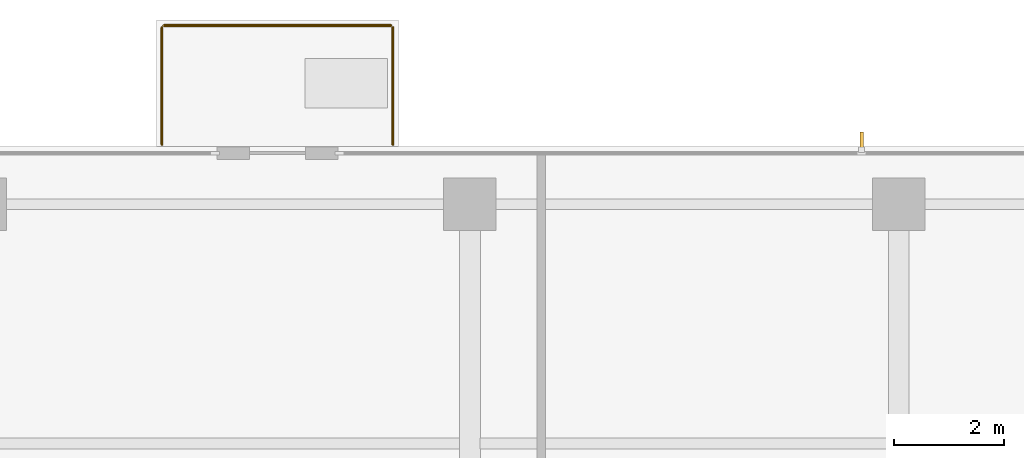
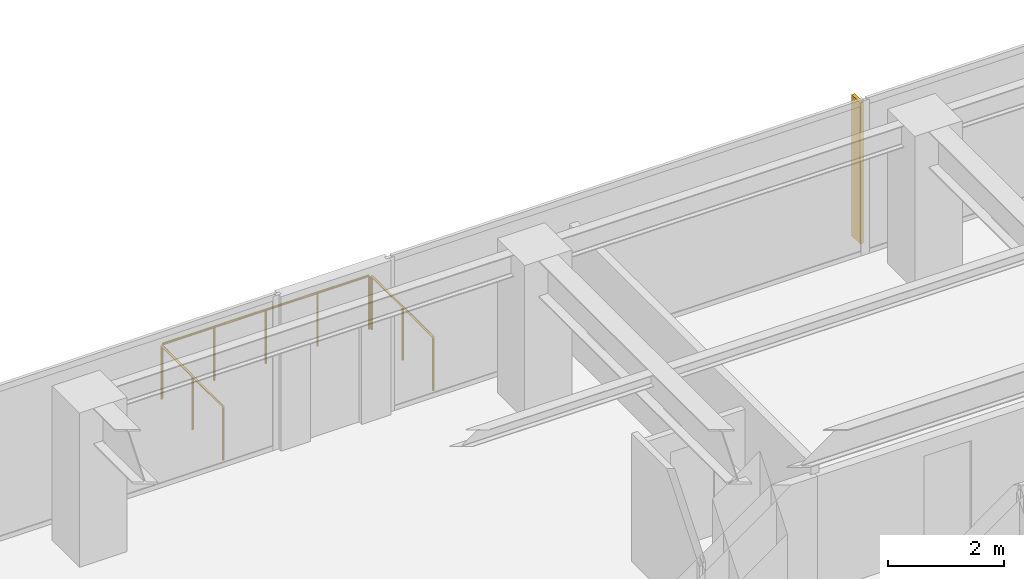
# One storey, part 14 of 14: 3 railings, 1 shading device.
"""IFC4 building model written with IfcOpenShell, lengths in metres."""

from ifc_helpers import new_model, si_unit, direction, frame, origin, origin_2d, place, context, subcontext, project, spatial, polyline, circle, outline, extrude, material, layer, layer_set, type_object, element, save


model = new_model("IFC4")

# Units and contexts
model_context = context("Model", 3, precision=1e-05, world=origin(), true_north=direction((0.0, 1.0)))
body_context = subcontext(model_context, "Body", "Model", "MODEL_VIEW")
ifc_project = project(units=[si_unit("LENGTHUNIT", "METRE"), si_unit("AREAUNIT", "SQUARE_METRE"), si_unit("VOLUMEUNIT", "CUBIC_METRE"), si_unit("PLANEANGLEUNIT", "RADIAN"), si_unit("MASSUNIT", "GRAM", prefix="KILO")], contexts=[model_context])

# Site, building, storey
site_placement = place(None, origin())
site = spatial("IfcSite", under=ifc_project, at=site_placement, CompositionType="ELEMENT")
building_placement = place(site_placement, origin())
building = spatial("IfcBuilding", under=site, at=building_placement, Name="Qalmaran Belvedere Hotel", CompositionType="ELEMENT")
storey_placement = place(building_placement, frame((0.0, 0.0, 224.89990234375)))
storey = spatial("IfcBuildingStorey", under=building, at=storey_placement, Name="L57", CompositionType="ELEMENT", Elevation=224.89990234375)

# Shading device
ifc_material = material(Name="Anodised Bronze Aluminium", Category="aluminium")
ifc_layer = layer(ifc_material, 0.06494140625, Name="Anodised Bronze Aluminium")
ifc_layer_set = layer_set([ifc_layer], Name="Anodised Bronze Aluminium")
shading_device_type = type_object("IfcShadingDeviceType", Name="FIN-BRNZ-300", PredefinedType="USERDEFINED", material=ifc_layer_set)
shading_device_placement = place(storey_placement, frame((0.0, 0.0, 0.16015625)))
element("IfcShadingDevice", 1, at=shading_device_placement, inside=storey, type_object=shading_device_type, Name="L57 Bronze Fin 1", ObjectType="FIN", PredefinedType="USERDEFINED", context=body_context, shape_type="SweptSolid", body=[
    extrude(outline(polyline([(36.357421875, 41.467529296875), (36.357421875, 41.767578125), (36.29248046875, 41.767578125), (36.29248046875, 41.467529296875), (36.357421875, 41.467529296875)])), origin(), (0.0, 0.0, 1.0), 2.97998046875),
])

# Railings
railing_type = type_object("IfcRailingType", Name="GRD-BAL-1150", PredefinedType="BALUSTRADE", material=ifc_material)
railing_1_placement = place(storey_placement, frame((23.60009765625, 41.534912109375, 0.0)))
element("IfcRailing", 2, at=railing_1_placement, inside=storey, type_object=railing_type, Name="L57 Guardrail BAL-L57-N-1", PredefinedType="BALUSTRADE", context=body_context, shape_type="SweptSolid", body=[
    extrude(circle(Radius=0.02392578125, at=origin_2d()), frame((0.0, 0.0, 1.1259765625), z_axis=(0.0, 1.0, 0.0), x_axis=(-1.0, 0.0, 0.0)), (0.0, 0.0, 1.0), 2.130126953125),
    extrude(circle(Radius=0.02099609375, at=origin_2d()), origin(), (0.0, 0.0, 1.0), 1.101806640625),
    extrude(circle(Radius=0.02099609375, at=origin_2d()), frame((0.0, 1.06494140625, 0.0)), (0.0, 0.0, 1.0), 1.101806640625),
    extrude(circle(Radius=0.02099609375, at=origin_2d()), frame((0.0, 2.130126953125, 0.0)), (0.0, 0.0, 1.0), 1.101806640625),
])
railing_2_placement = place(storey_placement, frame((23.635009765625, 43.699951171875, 0.0)))
element("IfcRailing", 3, at=railing_2_placement, inside=storey, type_object=railing_type, Name="L57 Guardrail BAL-L57-N-2", PredefinedType="BALUSTRADE", context=body_context, shape_type="SweptSolid", body=[
    extrude(circle(Radius=0.02392578125, at=origin_2d()), frame((0.0, 0.0, 1.1259765625), z_axis=(1.0, 0.0, 0.0), x_axis=(0.0, 1.0, 0.0)), (0.0, 0.0, 1.0), 4.1298828125),
    extrude(circle(Radius=0.02099609375, at=origin_2d()), origin(), (0.0, 0.0, 1.0), 1.101806640625),
    extrude(circle(Radius=0.02099609375, at=origin_2d()), frame((1.032470703125, 0.0, 0.0)), (0.0, 0.0, 1.0), 1.101806640625),
    extrude(circle(Radius=0.02099609375, at=origin_2d()), frame((2.06494140625, 0.0, 0.0)), (0.0, 0.0, 1.0), 1.101806640625),
    extrude(circle(Radius=0.02099609375, at=origin_2d()), frame((3.097412109375, 0.0, 0.0)), (0.0, 0.0, 1.0), 1.101806640625),
    extrude(circle(Radius=0.02099609375, at=origin_2d()), frame((4.1298828125, 0.0, 0.0)), (0.0, 0.0, 1.0), 1.101806640625),
])
railing_3_placement = place(storey_placement, frame((27.800048828125, 43.6650390625, 0.0)))
element("IfcRailing", 4, at=railing_3_placement, inside=storey, type_object=railing_type, Name="L57 Guardrail BAL-L57-N-3", PredefinedType="BALUSTRADE", context=body_context, shape_type="SweptSolid", body=[
    extrude(circle(Radius=0.02392578125, at=origin_2d()), frame((0.0, 0.0, 1.1259765625), z_axis=(0.0, -1.0, 0.0), x_axis=(1.0, 0.0, 0.0)), (0.0, 0.0, 1.0), 2.130126953125),
    extrude(circle(Radius=0.02099609375, at=origin_2d()), origin(), (0.0, 0.0, 1.0), 1.101806640625),
    extrude(circle(Radius=0.02099609375, at=origin_2d()), frame((0.0, -1.06494140625, 0.0)), (0.0, 0.0, 1.0), 1.101806640625),
    extrude(circle(Radius=0.02099609375, at=origin_2d()), frame((0.0, -2.130126953125, 0.0)), (0.0, 0.0, 1.0), 1.101806640625),
])

save(model, "model.ifc")
